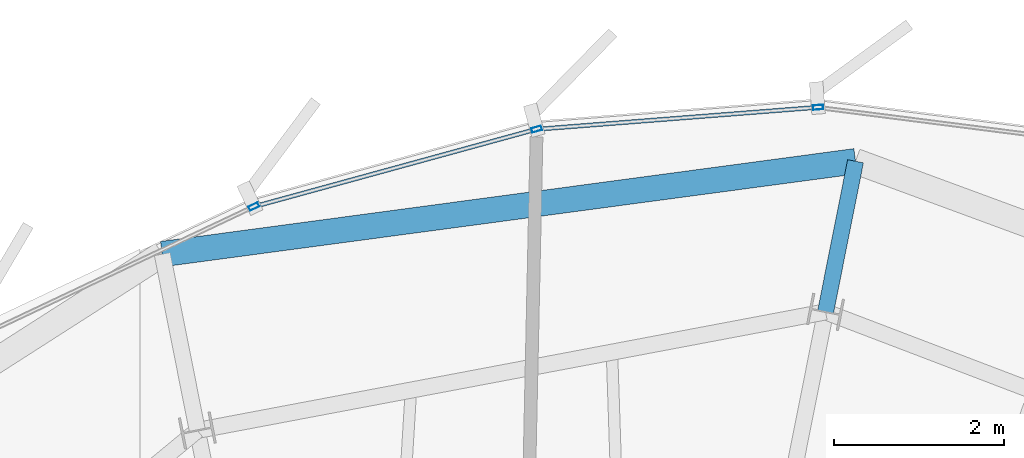
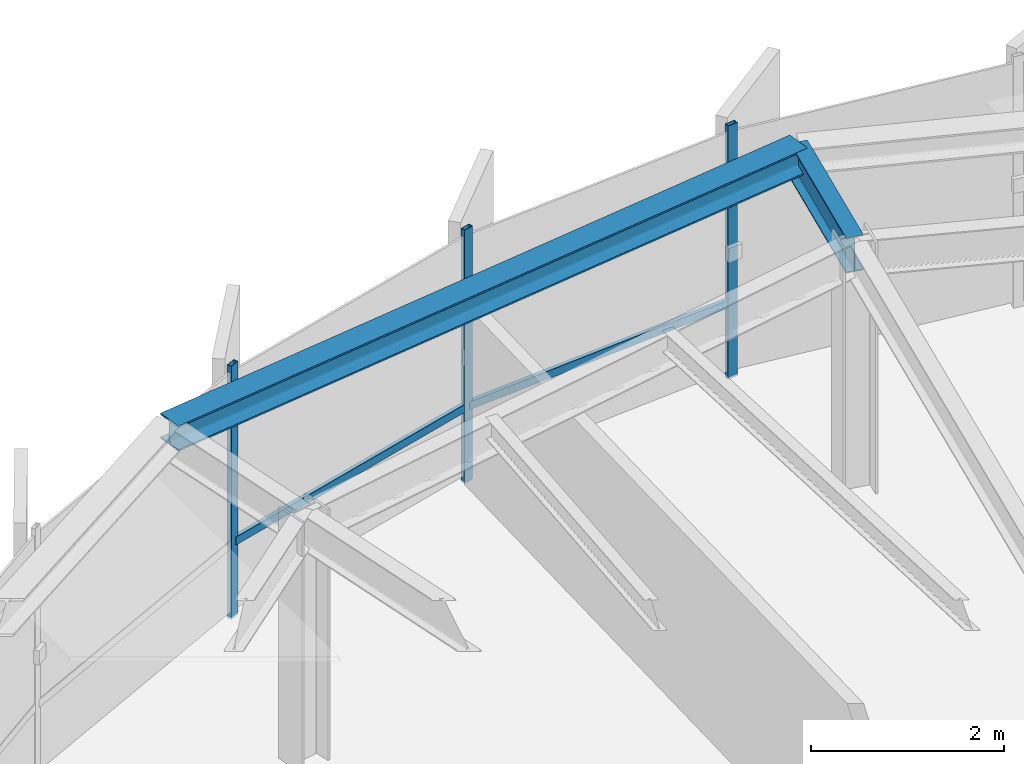
# One storey, part 21 of 31: 5 members, 2 beams, 1 element without a shape of its own.
"""IFC4 building model written with IfcOpenShell, lengths in metres."""

from ifc_helpers import new_model, si_unit, direction, frame, origin, origin_2d, place, context, subcontext, project, spatial, hollow_rectangle, i_section, extrude, source, transform, mapped, material, layer, layer_set, material_profile, profile_set, type_object, element, aggregate, save


model = new_model("IFC4")

# Units and contexts
model_context = context("Model", 3, precision=1e-05, world=origin(), true_north=direction((0.0, 1.0)))
body_context = subcontext(model_context, "Body", "Model", "MODEL_VIEW")
ifc_project = project(units=[si_unit("LENGTHUNIT", "METRE"), si_unit("AREAUNIT", "SQUARE_METRE"), si_unit("VOLUMEUNIT", "CUBIC_METRE"), si_unit("PLANEANGLEUNIT", "RADIAN"), si_unit("MASSUNIT", "GRAM", prefix="KILO"), si_unit("THERMODYNAMICTEMPERATUREUNIT", "KELVIN")], contexts=[model_context])

# Site, building, storey
site_placement = place(None, origin())
site = spatial("IfcSite", under=ifc_project, at=site_placement, CompositionType="ELEMENT")
building_placement = place(site_placement, origin())
building = spatial("IfcBuilding", under=site, at=building_placement, Name="Kethvar Cultural Tower", CompositionType="ELEMENT")
storey_placement = place(building_placement, frame((0.0, 0.0, 290.5)))
storey = spatial("IfcBuildingStorey", under=building, at=storey_placement, Name="L77", CompositionType="ELEMENT", Elevation=290.5)

# Beams
ifc_material_1 = material(Name="Steel S355J2", Category="steel")
ifc_material_profile_1 = material_profile(ifc_material_1, i_section(OverallWidth=0.18994140625, OverallDepth=0.449951171875, WebThickness=0.009521484375, FlangeThickness=0.0146484375, FilletRadius=0.02099609375, at=origin_2d()), Name="Steel S355J2 — IPE450")
ifc_profile_set_1 = profile_set([ifc_material_profile_1], Name="Steel S355J2 — IPE450")
beam_type_1 = type_object("IfcBeamType", Name="BM-IPE450", PredefinedType="BEAM", material=ifc_profile_set_1)
shared_shape_1 = source(origin(), body_context, "Body", "SweptSolid", [
    extrude(i_section(OverallWidth=0.18994140625, OverallDepth=0.449951171875, WebThickness=0.009521484375, FlangeThickness=0.0146484375, FilletRadius=0.02099609375, at=origin_2d()), origin(), (0.0, 0.0, 1.0), 1.81201171875),
])
beam_1_placement = place(storey_placement, frame((50.645263671875, 47.131591796875, 2.98291015625), z_axis=(0.195105470888, 0.980782266984, 0.0), x_axis=(-0.980782266984, 0.195105470888, 0.0)))
element("IfcBeam", 1, at=beam_1_placement, inside=storey, type_object=beam_type_1, Name="L77 Perimeter Cantilever Beam RC-04", PredefinedType="BEAM", context=body_context, shape_type="MappedRepresentation", body=[
    mapped(shared_shape_1, transform((0.0, 0.0, 0.0), scale=1.0)),
])
ifc_material_profile_2 = material_profile(ifc_material_1, i_section(OverallWidth=0.300048828125, OverallDepth=0.320068359375, WebThickness=0.011474609375, FlangeThickness=0.0205078125, FilletRadius=0.027099609375, at=origin_2d()), Name="Steel S355J2 — HEB320")
ifc_profile_set_2 = profile_set([ifc_material_profile_2], Name="Steel S355J2 — HEB320")
beam_type_2 = type_object("IfcBeamType", Name="BM-SP320", PredefinedType="SPANDREL", material=ifc_profile_set_2)
shared_shape_2 = source(origin(), body_context, "Body", "SweptSolid", [
    extrude(i_section(OverallWidth=0.300048828125, OverallDepth=0.320068359375, WebThickness=0.011474609375, FlangeThickness=0.0205078125, FilletRadius=0.027099609375, at=origin_2d()), origin(), (0.0, 0.0, 1.0), 8.252685546875),
])
beam_2_placement = place(storey_placement, frame((50.998779296875, 48.90869140625, 3.048095703125), z_axis=(-0.991154890172, -0.132710149156, 0.0), x_axis=(0.132710149156, -0.991154890172, 0.0)))
element("IfcBeam", 2, at=beam_2_placement, inside=storey, type_object=beam_type_2, Name="L77 Perimeter Spandrel Beam SP-04", PredefinedType="SPANDREL", context=body_context, shape_type="MappedRepresentation", body=[
    mapped(shared_shape_2, transform((0.0, 0.0, 0.0), scale=1.0)),
])

# Curtain wall, members
ifc_material_2 = material(Name="Aluminium 6063-T6", Category="aluminium")
ifc_layer = layer(ifc_material_2, 0.179931640625, Name="Aluminium 6063-T6", Category="aluminium")
ifc_layer_set = layer_set([ifc_layer], Name="Aluminium 6063-T6 (180 mm)")
curtain_wall_type = type_object("IfcCurtainWallType", Name="CW-SYS-05-Z56", PredefinedType="NOTDEFINED", material=ifc_layer_set)
curtain_wall_placement = place(storey_placement, origin())
curtain_wall = element("IfcCurtainWall", 3, at=curtain_wall_placement, inside=storey, type_object=curtain_wall_type, Name="L77 Curtain Wall Run 01", PredefinedType="NOTDEFINED")
ifc_material_profile_3 = material_profile(ifc_material_2, hollow_rectangle(XDim=0.054931640625, YDim=0.1201171875, WallThickness=0.00390625, at=origin_2d()), Name="Aluminium 6063-T6 — RHS120x55x4")
ifc_profile_set_3 = profile_set([ifc_material_profile_3], Name="Aluminium 6063-T6 — RHS120x55x4")
member_type_1 = type_object("IfcMemberType", Name="CW-SYS-05-Z56-MUL", PredefinedType="MULLION", material=ifc_profile_set_3)
shared_shape_3 = source(origin(), body_context, "Body", "SweptSolid", [
    extrude(hollow_rectangle(XDim=0.054931640625, YDim=0.1201171875, WallThickness=0.00390625, at=origin_2d()), origin(), (0.0, 0.0, 1.0), 3.2099609375),
])
member_1_placement = place(storey_placement, frame((50.557373046875, 49.54541015625, 0.0), z_axis=(0.0, 0.0, 1.0), x_axis=(0.077954500494, -0.996956917752, 0.0)))
member_1 = element("IfcMember", 4, at=member_1_placement, type_object=member_type_1, Name="CW-L77-R01 Mullion 3", PredefinedType="MULLION", context=body_context, shape_type="MappedRepresentation", body=[
    mapped(shared_shape_3, transform((0.0, 0.0, 0.0), scale=1.0)),
])
member_2_placement = place(storey_placement, frame((47.23681640625, 49.28759765625, 0.0), z_axis=(0.0, 0.0, 1.0), x_axis=(0.264344390115, -0.964428350586, 0.0)))
member_2 = element("IfcMember", 5, at=member_2_placement, type_object=member_type_1, Name="CW-L77-R01 Mullion 4", PredefinedType="MULLION", context=body_context, shape_type="MappedRepresentation", body=[
    mapped(shared_shape_3, transform((0.0, 0.0, 0.0), scale=1.0)),
])
member_3_placement = place(storey_placement, frame((43.900390625, 48.37451171875, 0.0), z_axis=(0.0, 0.0, 1.0), x_axis=(0.427215845161, -0.904149667723, 0.0)))
member_3 = element("IfcMember", 6, at=member_3_placement, type_object=member_type_1, Name="CW-L77-R01 Mullion 5", PredefinedType="MULLION", context=body_context, shape_type="MappedRepresentation", body=[
    mapped(shared_shape_3, transform((0.0, 0.0, 0.0), scale=1.0)),
])
ifc_material_profile_4 = material_profile(ifc_material_2, hollow_rectangle(XDim=0.050048828125, YDim=0.10009765625, WallThickness=0.00390625, at=origin_2d()), Name="Aluminium 6063-T6 — RHS100x50x4")
ifc_profile_set_4 = profile_set([ifc_material_profile_4], Name="Aluminium 6063-T6 — RHS100x50x4")
member_type_2 = type_object("IfcMemberType", Name="CW-SYS-05-Z56-TRN", PredefinedType="USERDEFINED", material=ifc_profile_set_4)
shared_shape_4 = source(origin(), body_context, "Body", "SweptSolid", [
    extrude(hollow_rectangle(XDim=0.050048828125, YDim=0.10009765625, WallThickness=0.00390625, at=origin_2d()), origin(), (0.0, 0.0, 1.0), 3.270263671875),
])
member_4_placement = place(storey_placement, frame((50.517822265625, 49.542236328125, 0.949951171875), z_axis=(-0.996957973237, -0.077941000753, 0.0), x_axis=(0.077941000753, -0.996957973237, 0.0)))
member_4 = element("IfcMember", 7, at=member_4_placement, type_object=member_type_2, Name="CW-L77-R01 Transom 3", ObjectType="TRANSOM", PredefinedType="USERDEFINED", context=body_context, shape_type="MappedRepresentation", body=[
    mapped(shared_shape_4, transform((0.0, 0.0, 0.0), scale=1.0)),
])
shared_shape_5 = source(origin(), body_context, "Body", "SweptSolid", [
    extrude(hollow_rectangle(XDim=0.050048828125, YDim=0.10009765625, WallThickness=0.00390625, at=origin_2d()), origin(), (0.0, 0.0, 1.0), 3.39697265625),
])
member_5_placement = place(storey_placement, frame((47.198486328125, 49.277099609375, 0.949951171875), z_axis=(-0.964411354125, -0.264406391819, 0.0), x_axis=(0.264406391819, -0.964411354125, 0.0)))
member_5 = element("IfcMember", 8, at=member_5_placement, type_object=member_type_2, Name="CW-L77-R01 Transom 4", ObjectType="TRANSOM", PredefinedType="USERDEFINED", context=body_context, shape_type="MappedRepresentation", body=[
    mapped(shared_shape_5, transform((0.0, 0.0, 0.0), scale=1.0)),
])
aggregate(curtain_wall, [member_1, member_2, member_3, member_4, member_5])

save(model, "model.ifc")
